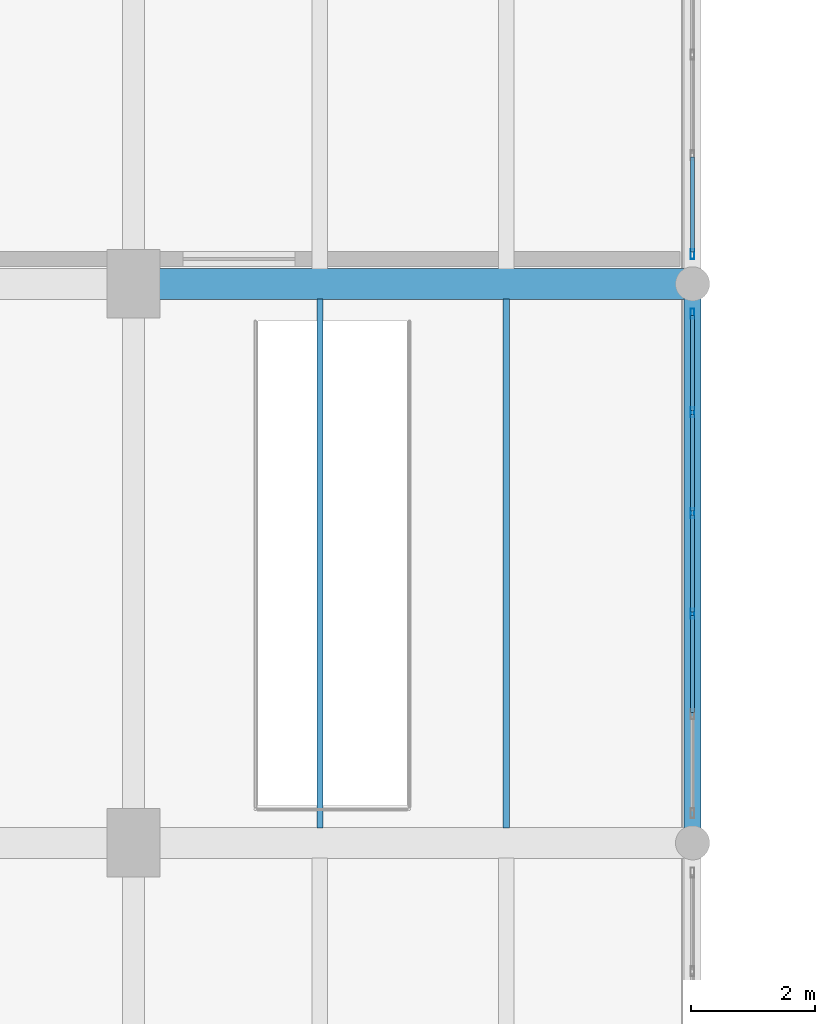
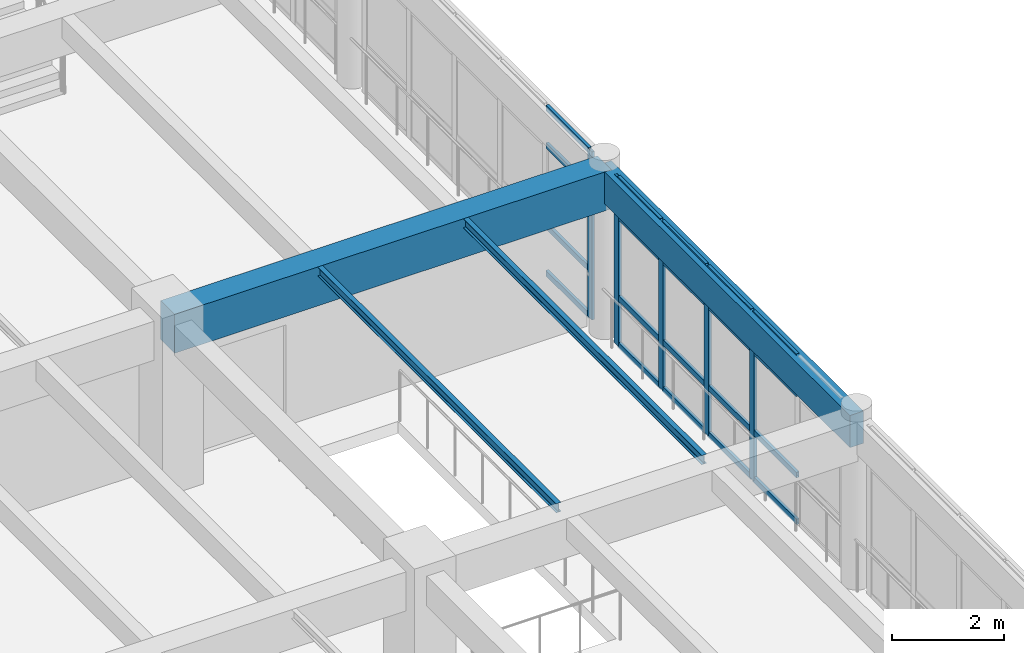
# One storey, part 33 of 156: 25 members, 4 beams, 2 elements without a shape of their own.
"""IFC4 building model written with IfcOpenShell, lengths in metres."""

from ifc_helpers import new_model, si_unit, direction, frame, origin, origin_2d, place, context, subcontext, project, spatial, rectangle, hollow_rectangle, i_section, extrude, material, layer, layer_set, material_profile, profile_set, type_object, element, aggregate, save


model = new_model("IFC4")

# Units and contexts
model_context = context("Model", 3, precision=1e-05, world=origin(), true_north=direction((0.0, 1.0)))
body_context = subcontext(model_context, "Body", "Model", "MODEL_VIEW")
ifc_project = project(units=[si_unit("LENGTHUNIT", "METRE"), si_unit("AREAUNIT", "SQUARE_METRE"), si_unit("VOLUMEUNIT", "CUBIC_METRE"), si_unit("PLANEANGLEUNIT", "RADIAN"), si_unit("MASSUNIT", "GRAM", prefix="KILO")], contexts=[model_context])

# Site, building, storey
site_placement = place(None, origin())
site = spatial("IfcSite", under=ifc_project, at=site_placement, CompositionType="ELEMENT")
building_placement = place(site_placement, origin())
building = spatial("IfcBuilding", under=site, at=building_placement, Name="Ornek Quay Market", CompositionType="ELEMENT")
storey_placement = place(building_placement, frame((0.0, 0.0, 4.5)))
storey = spatial("IfcBuildingStorey", under=building, at=storey_placement, Name="L01", CompositionType="ELEMENT", Elevation=4.5)

# Beams
ifc_material_1 = material(Name="Concrete C40/50", Category="concrete")
ifc_material_profile_1 = material_profile(ifc_material_1, rectangle(XDim=0.5, YDim=0.85009765625, at=origin_2d()), Name="RC 500x850", Category="concrete")
ifc_profile_set_1 = profile_set([ifc_material_profile_1], Name="Concrete C40/50")
beam_type_1 = type_object("IfcBeamType", Name="BM-GAL-500x850", PredefinedType="BEAM", material=ifc_profile_set_1)
beam_1_placement = place(storey_placement, frame((63.0, 56.0, 3.235107421875), z_axis=(1.0, 0.0, 0.0), x_axis=(0.0, 1.0, 0.0)))
element("IfcBeam", 1, at=beam_1_placement, inside=storey, type_object=beam_type_1, Name="Primary beam B-GL1-070", PredefinedType="BEAM", context=body_context, shape_type="SweptSolid", body=[
    extrude(rectangle(XDim=0.5, YDim=0.85009765625, at=origin_2d()), origin(), (0.0, 0.0, 1.0), 9.0),
])
ifc_material_2 = material(Name="Concrete C35/45", Category="concrete")
ifc_material_profile_2 = material_profile(ifc_material_2, rectangle(XDim=0.280029296875, YDim=0.699951171875, at=origin_2d()), Name="RC 280x700", Category="concrete")
ifc_profile_set_2 = profile_set([ifc_material_profile_2], Name="Concrete C35/45")
beam_type_2 = type_object("IfcBeamType", Name="BM-SPN-280x700", PredefinedType="SPANDREL", material=ifc_profile_set_2)
beam_2_placement = place(storey_placement, frame((72.0, 47.0, 3.31005859375), z_axis=(0.0, 1.0, 0.0), x_axis=(-1.0, 0.0, 0.0)))
element("IfcBeam", 2, at=beam_2_placement, inside=storey, type_object=beam_type_2, Name="Primary beam B-SP2-063", PredefinedType="SPANDREL", context=body_context, shape_type="SweptSolid", body=[
    extrude(rectangle(XDim=0.280029296875, YDim=0.699951171875, at=origin_2d()), origin(), (0.0, 0.0, 1.0), 9.0),
])
ifc_material_3 = material(Name="Steel S355", Category="steel")
ifc_material_profile_3 = material_profile(ifc_material_3, i_section(OverallWidth=0.10009765625, OverallDepth=0.199951171875, WebThickness=0.005615234375, FlangeThickness=0.008544921875, FilletRadius=0.011962890625, at=origin_2d()), Name="IPE 200", Category="steel")
ifc_profile_set_3 = profile_set([ifc_material_profile_3], Name="Steel S355")
beam_type_3 = type_object("IfcBeamType", Name="BM-STL-IPE200", PredefinedType="JOIST", material=ifc_profile_set_3)
for number, where, z_axis, x_axis, name in (
    (3, (66.0, 47.241943359375, 3.56005859375), (0.0, 1.0, 0.0), (-1.0, 0.0, 0.0), "Secondary joist SB-02-023"),
    (4, (69.0, 47.241943359375, 3.56005859375), (0.0, 1.0, 0.0), (-1.0, 0.0, 0.0), "Secondary joist SB-02-024"),
):
    element("IfcBeam", number, at=place(storey_placement, frame(where, z_axis=z_axis, x_axis=x_axis)), inside=storey, type_object=beam_type_3, Name=name, PredefinedType="JOIST", context=body_context, shape_type="SweptSolid", body=[
        extrude(i_section(OverallWidth=0.10009765625, OverallDepth=0.199951171875, WebThickness=0.005615234375, FlangeThickness=0.008544921875, FilletRadius=0.011962890625, at=origin_2d()), origin(), (0.0, 0.0, 1.0), 8.51611328125),
    ])

# Curtain wall, members
ifc_material_4 = material(Name="Anodised bronze aluminium and triple low-e glass", Category="aluminium")
ifc_layer = layer(ifc_material_4, 0.139892578125, Name="Anodised bronze aluminium and triple low-e glass", Category="aluminium")
ifc_layer_set = layer_set([ifc_layer], Name="Anodised bronze aluminium and triple low-e glass")
curtain_wall_type = type_object("IfcCurtainWallType", Name="CW-GALLERY-INT", PredefinedType="USERDEFINED", material=ifc_layer_set)
curtain_wall_1_placement = place(storey_placement, origin())
curtain_wall_1 = element("IfcCurtainWall", 5, at=curtain_wall_1_placement, inside=storey, type_object=curtain_wall_type, Name="Curtain wall CW-099", ObjectType="CURTAIN WALL", PredefinedType="USERDEFINED")
ifc_material_5 = material(Name="Anodised aluminium 6063-T6", Category="aluminium")
ifc_material_profile_4 = material_profile(ifc_material_5, hollow_rectangle(XDim=0.06005859375, YDim=0.159912109375, WallThickness=0.00390625, at=origin_2d()), Name="CW-MUL-60x160", Category="aluminium")
ifc_profile_set_4 = profile_set([ifc_material_profile_4], Name="Anodised aluminium 6063-T6")
member_type_1 = type_object("IfcMemberType", Name="CW-MUL-60x160", PredefinedType="MULLION", material=ifc_profile_set_4)
member_1_placement = place(storey_placement, frame((72.0, 50.68994140625, 0.0), z_axis=(0.0, 0.0, 1.0), x_axis=(-1.0, 0.0, 0.0)))
member_1 = element("IfcMember", 6, at=member_1_placement, type_object=member_type_1, Name="CW-099 mullion 3", PredefinedType="MULLION", context=body_context, shape_type="SweptSolid", body=[
    extrude(hollow_rectangle(XDim=0.06005859375, YDim=0.159912109375, WallThickness=0.00390625, at=origin_2d()), origin(), (0.0, 0.0, 1.0), 3.659912109375),
])
member_2_placement = place(storey_placement, frame((72.0, 52.31005859375, 0.0), z_axis=(0.0, 0.0, 1.0), x_axis=(-1.0, 0.0, 0.0)))
member_2 = element("IfcMember", 7, at=member_2_placement, type_object=member_type_1, Name="CW-099 mullion 4", PredefinedType="MULLION", context=body_context, shape_type="SweptSolid", body=[
    extrude(hollow_rectangle(XDim=0.06005859375, YDim=0.159912109375, WallThickness=0.00390625, at=origin_2d()), origin(), (0.0, 0.0, 1.0), 3.659912109375),
])
member_3_placement = place(storey_placement, frame((72.0, 53.929931640625, 0.0), z_axis=(0.0, 0.0, 1.0), x_axis=(-1.0, 0.0, 0.0)))
member_3 = element("IfcMember", 8, at=member_3_placement, type_object=member_type_1, Name="CW-099 mullion 5", PredefinedType="MULLION", context=body_context, shape_type="SweptSolid", body=[
    extrude(hollow_rectangle(XDim=0.06005859375, YDim=0.159912109375, WallThickness=0.00390625, at=origin_2d()), origin(), (0.0, 0.0, 1.0), 3.659912109375),
])
member_4_placement = place(storey_placement, frame((72.0, 55.52001953125, 0.0), z_axis=(0.0, 0.0, 1.0), x_axis=(-1.0, 0.0, 0.0)))
member_4 = element("IfcMember", 9, at=member_4_placement, type_object=member_type_1, Name="CW-099 mullion 6", PredefinedType="MULLION", context=body_context, shape_type="SweptSolid", body=[
    extrude(hollow_rectangle(XDim=0.06005859375, YDim=0.159912109375, WallThickness=0.00390625, at=origin_2d()), origin(), (0.0, 0.0, 1.0), 3.659912109375),
])

# Curtain wall, member
curtain_wall_2_placement = place(storey_placement, origin())
curtain_wall_2 = element("IfcCurtainWall", 10, at=curtain_wall_2_placement, inside=storey, type_object=curtain_wall_type, Name="Curtain wall CW-100", ObjectType="CURTAIN WALL", PredefinedType="USERDEFINED")
member_5_placement = place(storey_placement, frame((72.0, 56.47998046875, 0.0), z_axis=(0.0, 0.0, 1.0), x_axis=(-1.0, 0.0, 0.0)))
member_5 = element("IfcMember", 11, at=member_5_placement, type_object=member_type_1, Name="CW-100 mullion 1", PredefinedType="MULLION", context=body_context, shape_type="SweptSolid", body=[
    extrude(hollow_rectangle(XDim=0.06005859375, YDim=0.159912109375, WallThickness=0.00390625, at=origin_2d()), origin(), (0.0, 0.0, 1.0), 3.659912109375),
])

# Member
ifc_material_profile_5 = material_profile(ifc_material_5, hollow_rectangle(XDim=0.06005859375, YDim=0.1201171875, WallThickness=0.00390625, at=origin_2d()), Name="CW-TRN-60x120", Category="aluminium")
ifc_profile_set_5 = profile_set([ifc_material_profile_5], Name="Anodised aluminium 6063-T6")
member_type_2 = type_object("IfcMemberType", Name="CW-TRN-60x120", PredefinedType="USERDEFINED", material=ifc_profile_set_5)
member_6_placement = place(storey_placement, frame((72.0, 49.10009765625, 0.030029296875), z_axis=(0.0, 1.0, 0.0), x_axis=(-1.0, 0.0, 0.0)))
member_6 = element("IfcMember", 12, at=member_6_placement, type_object=member_type_2, Name="CW-099 transom 2.1", ObjectType="TRANSOM", PredefinedType="USERDEFINED", context=body_context, shape_type="SweptSolid", body=[
    extrude(hollow_rectangle(XDim=0.06005859375, YDim=0.1201171875, WallThickness=0.00390625, at=origin_2d()), origin(), (0.0, 0.0, 1.0), 1.559814453125),
])

member_7_placement = place(storey_placement, frame((72.0, 49.10009765625, 1.050048828125), z_axis=(0.0, 1.0, 0.0), x_axis=(-1.0, 0.0, 0.0)))
member_7 = element("IfcMember", 13, at=member_7_placement, type_object=member_type_2, Name="CW-099 transom 2.2", ObjectType="TRANSOM", PredefinedType="USERDEFINED", context=body_context, shape_type="SweptSolid", body=[
    extrude(hollow_rectangle(XDim=0.06005859375, YDim=0.1201171875, WallThickness=0.00390625, at=origin_2d()), origin(), (0.0, 0.0, 1.0), 1.559814453125),
])

member_8_placement = place(storey_placement, frame((72.0, 49.10009765625, 2.81005859375), z_axis=(0.0, 1.0, 0.0), x_axis=(-1.0, 0.0, 0.0)))
member_8 = element("IfcMember", 14, at=member_8_placement, type_object=member_type_2, Name="CW-099 transom 2.3", ObjectType="TRANSOM", PredefinedType="USERDEFINED", context=body_context, shape_type="SweptSolid", body=[
    extrude(hollow_rectangle(XDim=0.06005859375, YDim=0.1201171875, WallThickness=0.00390625, at=origin_2d()), origin(), (0.0, 0.0, 1.0), 1.559814453125),
])

member_9_placement = place(storey_placement, frame((72.0, 49.10009765625, 3.6298828125), z_axis=(0.0, 1.0, 0.0), x_axis=(-1.0, 0.0, 0.0)))
member_9 = element("IfcMember", 15, at=member_9_placement, type_object=member_type_2, Name="CW-099 transom 2.4", ObjectType="TRANSOM", PredefinedType="USERDEFINED", context=body_context, shape_type="SweptSolid", body=[
    extrude(hollow_rectangle(XDim=0.06005859375, YDim=0.1201171875, WallThickness=0.00390625, at=origin_2d()), origin(), (0.0, 0.0, 1.0), 1.559814453125),
])

member_10_placement = place(storey_placement, frame((72.0, 50.719970703125, 0.030029296875), z_axis=(0.0, 1.0, 0.0), x_axis=(-1.0, 0.0, 0.0)))
member_10 = element("IfcMember", 16, at=member_10_placement, type_object=member_type_2, Name="CW-099 transom 3.1", ObjectType="TRANSOM", PredefinedType="USERDEFINED", context=body_context, shape_type="SweptSolid", body=[
    extrude(hollow_rectangle(XDim=0.06005859375, YDim=0.1201171875, WallThickness=0.00390625, at=origin_2d()), origin(), (0.0, 0.0, 1.0), 1.56005859375),
])

member_11_placement = place(storey_placement, frame((72.0, 50.719970703125, 1.050048828125), z_axis=(0.0, 1.0, 0.0), x_axis=(-1.0, 0.0, 0.0)))
member_11 = element("IfcMember", 17, at=member_11_placement, type_object=member_type_2, Name="CW-099 transom 3.2", ObjectType="TRANSOM", PredefinedType="USERDEFINED", context=body_context, shape_type="SweptSolid", body=[
    extrude(hollow_rectangle(XDim=0.06005859375, YDim=0.1201171875, WallThickness=0.00390625, at=origin_2d()), origin(), (0.0, 0.0, 1.0), 1.56005859375),
])

member_12_placement = place(storey_placement, frame((72.0, 50.719970703125, 2.81005859375), z_axis=(0.0, 1.0, 0.0), x_axis=(-1.0, 0.0, 0.0)))
member_12 = element("IfcMember", 18, at=member_12_placement, type_object=member_type_2, Name="CW-099 transom 3.3", ObjectType="TRANSOM", PredefinedType="USERDEFINED", context=body_context, shape_type="SweptSolid", body=[
    extrude(hollow_rectangle(XDim=0.06005859375, YDim=0.1201171875, WallThickness=0.00390625, at=origin_2d()), origin(), (0.0, 0.0, 1.0), 1.56005859375),
])

member_13_placement = place(storey_placement, frame((72.0, 50.719970703125, 3.6298828125), z_axis=(0.0, 1.0, 0.0), x_axis=(-1.0, 0.0, 0.0)))
member_13 = element("IfcMember", 19, at=member_13_placement, type_object=member_type_2, Name="CW-099 transom 3.4", ObjectType="TRANSOM", PredefinedType="USERDEFINED", context=body_context, shape_type="SweptSolid", body=[
    extrude(hollow_rectangle(XDim=0.06005859375, YDim=0.1201171875, WallThickness=0.00390625, at=origin_2d()), origin(), (0.0, 0.0, 1.0), 1.56005859375),
])

member_14_placement = place(storey_placement, frame((72.0, 52.340087890625, 0.030029296875), z_axis=(0.0, 1.0, 0.0), x_axis=(-1.0, 0.0, 0.0)))
member_14 = element("IfcMember", 20, at=member_14_placement, type_object=member_type_2, Name="CW-099 transom 4.1", ObjectType="TRANSOM", PredefinedType="USERDEFINED", context=body_context, shape_type="SweptSolid", body=[
    extrude(hollow_rectangle(XDim=0.06005859375, YDim=0.1201171875, WallThickness=0.00390625, at=origin_2d()), origin(), (0.0, 0.0, 1.0), 1.559814453125),
])

member_15_placement = place(storey_placement, frame((72.0, 52.340087890625, 1.050048828125), z_axis=(0.0, 1.0, 0.0), x_axis=(-1.0, 0.0, 0.0)))
member_15 = element("IfcMember", 21, at=member_15_placement, type_object=member_type_2, Name="CW-099 transom 4.2", ObjectType="TRANSOM", PredefinedType="USERDEFINED", context=body_context, shape_type="SweptSolid", body=[
    extrude(hollow_rectangle(XDim=0.06005859375, YDim=0.1201171875, WallThickness=0.00390625, at=origin_2d()), origin(), (0.0, 0.0, 1.0), 1.559814453125),
])

member_16_placement = place(storey_placement, frame((72.0, 52.340087890625, 2.81005859375), z_axis=(0.0, 1.0, 0.0), x_axis=(-1.0, 0.0, 0.0)))
member_16 = element("IfcMember", 22, at=member_16_placement, type_object=member_type_2, Name="CW-099 transom 4.3", ObjectType="TRANSOM", PredefinedType="USERDEFINED", context=body_context, shape_type="SweptSolid", body=[
    extrude(hollow_rectangle(XDim=0.06005859375, YDim=0.1201171875, WallThickness=0.00390625, at=origin_2d()), origin(), (0.0, 0.0, 1.0), 1.559814453125),
])

member_17_placement = place(storey_placement, frame((72.0, 52.340087890625, 3.6298828125), z_axis=(0.0, 1.0, 0.0), x_axis=(-1.0, 0.0, 0.0)))
member_17 = element("IfcMember", 23, at=member_17_placement, type_object=member_type_2, Name="CW-099 transom 4.4", ObjectType="TRANSOM", PredefinedType="USERDEFINED", context=body_context, shape_type="SweptSolid", body=[
    extrude(hollow_rectangle(XDim=0.06005859375, YDim=0.1201171875, WallThickness=0.00390625, at=origin_2d()), origin(), (0.0, 0.0, 1.0), 1.559814453125),
])

member_18_placement = place(storey_placement, frame((72.0, 53.9599609375, 0.030029296875), z_axis=(0.0, 1.0, 0.0), x_axis=(-1.0, 0.0, 0.0)))
member_18 = element("IfcMember", 24, at=member_18_placement, type_object=member_type_2, Name="CW-099 transom 5.1", ObjectType="TRANSOM", PredefinedType="USERDEFINED", context=body_context, shape_type="SweptSolid", body=[
    extrude(hollow_rectangle(XDim=0.06005859375, YDim=0.1201171875, WallThickness=0.00390625, at=origin_2d()), origin(), (0.0, 0.0, 1.0), 1.530029296875),
])

member_19_placement = place(storey_placement, frame((72.0, 53.9599609375, 1.050048828125), z_axis=(0.0, 1.0, 0.0), x_axis=(-1.0, 0.0, 0.0)))
member_19 = element("IfcMember", 25, at=member_19_placement, type_object=member_type_2, Name="CW-099 transom 5.2", ObjectType="TRANSOM", PredefinedType="USERDEFINED", context=body_context, shape_type="SweptSolid", body=[
    extrude(hollow_rectangle(XDim=0.06005859375, YDim=0.1201171875, WallThickness=0.00390625, at=origin_2d()), origin(), (0.0, 0.0, 1.0), 1.530029296875),
])

member_20_placement = place(storey_placement, frame((72.0, 53.9599609375, 2.81005859375), z_axis=(0.0, 1.0, 0.0), x_axis=(-1.0, 0.0, 0.0)))
member_20 = element("IfcMember", 26, at=member_20_placement, type_object=member_type_2, Name="CW-099 transom 5.3", ObjectType="TRANSOM", PredefinedType="USERDEFINED", context=body_context, shape_type="SweptSolid", body=[
    extrude(hollow_rectangle(XDim=0.06005859375, YDim=0.1201171875, WallThickness=0.00390625, at=origin_2d()), origin(), (0.0, 0.0, 1.0), 1.530029296875),
])

member_21_placement = place(storey_placement, frame((72.0, 53.9599609375, 3.6298828125), z_axis=(0.0, 1.0, 0.0), x_axis=(-1.0, 0.0, 0.0)))
member_21 = element("IfcMember", 27, at=member_21_placement, type_object=member_type_2, Name="CW-099 transom 5.4", ObjectType="TRANSOM", PredefinedType="USERDEFINED", context=body_context, shape_type="SweptSolid", body=[
    extrude(hollow_rectangle(XDim=0.06005859375, YDim=0.1201171875, WallThickness=0.00390625, at=origin_2d()), origin(), (0.0, 0.0, 1.0), 1.530029296875),
])

aggregate(curtain_wall_1, [member_1, member_2, member_3, member_4, member_6, member_7, member_8, member_9, member_10, member_11, member_12, member_13, member_14, member_15, member_16, member_17, member_18, member_19, member_20, member_21])

member_22_placement = place(storey_placement, frame((72.0, 56.510009765625, 0.030029296875), z_axis=(0.0, 1.0, 0.0), x_axis=(-1.0, 0.0, 0.0)))
member_22 = element("IfcMember", 28, at=member_22_placement, type_object=member_type_2, Name="CW-100 transom 1.1", ObjectType="TRANSOM", PredefinedType="USERDEFINED", context=body_context, shape_type="SweptSolid", body=[
    extrude(hollow_rectangle(XDim=0.06005859375, YDim=0.1201171875, WallThickness=0.00390625, at=origin_2d()), origin(), (0.0, 0.0, 1.0), 1.530029296875),
])

member_23_placement = place(storey_placement, frame((72.0, 56.510009765625, 1.050048828125), z_axis=(0.0, 1.0, 0.0), x_axis=(-1.0, 0.0, 0.0)))
member_23 = element("IfcMember", 29, at=member_23_placement, type_object=member_type_2, Name="CW-100 transom 1.2", ObjectType="TRANSOM", PredefinedType="USERDEFINED", context=body_context, shape_type="SweptSolid", body=[
    extrude(hollow_rectangle(XDim=0.06005859375, YDim=0.1201171875, WallThickness=0.00390625, at=origin_2d()), origin(), (0.0, 0.0, 1.0), 1.530029296875),
])

member_24_placement = place(storey_placement, frame((72.0, 56.510009765625, 2.81005859375), z_axis=(0.0, 1.0, 0.0), x_axis=(-1.0, 0.0, 0.0)))
member_24 = element("IfcMember", 30, at=member_24_placement, type_object=member_type_2, Name="CW-100 transom 1.3", ObjectType="TRANSOM", PredefinedType="USERDEFINED", context=body_context, shape_type="SweptSolid", body=[
    extrude(hollow_rectangle(XDim=0.06005859375, YDim=0.1201171875, WallThickness=0.00390625, at=origin_2d()), origin(), (0.0, 0.0, 1.0), 1.530029296875),
])

member_25_placement = place(storey_placement, frame((72.0, 56.510009765625, 3.6298828125), z_axis=(0.0, 1.0, 0.0), x_axis=(-1.0, 0.0, 0.0)))
member_25 = element("IfcMember", 31, at=member_25_placement, type_object=member_type_2, Name="CW-100 transom 1.4", ObjectType="TRANSOM", PredefinedType="USERDEFINED", context=body_context, shape_type="SweptSolid", body=[
    extrude(hollow_rectangle(XDim=0.06005859375, YDim=0.1201171875, WallThickness=0.00390625, at=origin_2d()), origin(), (0.0, 0.0, 1.0), 1.530029296875),
])

aggregate(curtain_wall_2, [member_5, member_22, member_23, member_24, member_25])

save(model, "model.ifc")
